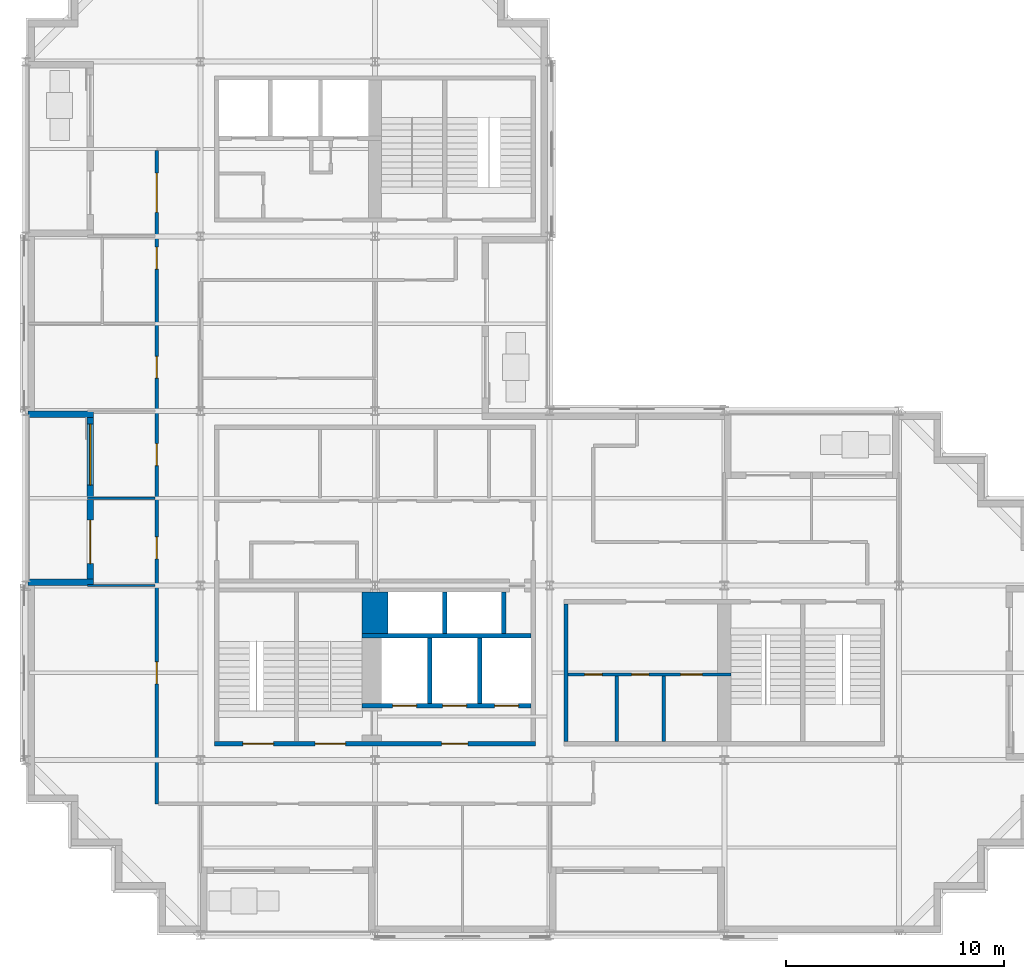
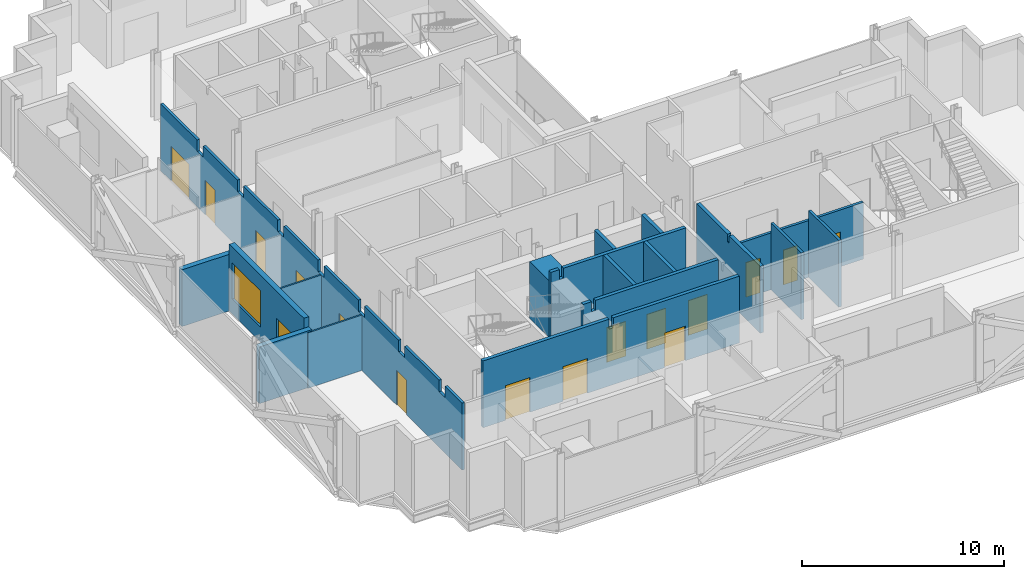
# One storey, part 5 of 12: 18 walls, 16 doors, 1 window, 17 openings.
"""IFC4 building model written with IfcOpenShell, lengths in metres."""

from ifc_helpers import new_model, si_unit, direction, frame, frame_2d, origin, place, context, subcontext, project, spatial, polyline, rectangle, outline, extrude, material, layer, layer_set, type_object, element, fill, save


model = new_model("IFC4")

# Units and contexts
model_context = context("Model", 3, precision=1e-05, world=origin(), true_north=direction((0.0, 1.0)))
body_context = subcontext(model_context, "Body", "Model", "MODEL_VIEW")
ifc_project = project(units=[si_unit("LENGTHUNIT", "METRE"), si_unit("AREAUNIT", "SQUARE_METRE"), si_unit("VOLUMEUNIT", "CUBIC_METRE"), si_unit("PLANEANGLEUNIT", "RADIAN"), si_unit("MASSUNIT", "GRAM", prefix="KILO")], contexts=[model_context])

# Site, building, storey
site_placement = place(None, origin())
site = spatial("IfcSite", under=ifc_project, at=site_placement, CompositionType="ELEMENT")
building_placement = place(site_placement, origin())
building = spatial("IfcBuilding", under=site, at=building_placement, Name="Immortelle Media Tower", CompositionType="ELEMENT")
storey_placement = place(building_placement, frame((0.0, 0.0, 153.60009765625)))
storey = spatial("IfcBuildingStorey", under=building, at=storey_placement, Name="L31", CompositionType="ELEMENT", Elevation=153.60009765625)

# Wall, openings, doors
ifc_material_1 = material(Name="Fire-rated gypsum board", Category="gypsum")
ifc_layer_1 = layer(ifc_material_1, 0.02490234375)
ifc_material_2 = material(Name="Steel ASTM A653 SS Gr 50 stud frame with mineral wool", Category="steel")
ifc_layer_2 = layer(ifc_material_2, 0.10009765625)
ifc_layer_3 = layer(ifc_material_1, 0.02490234375)
ifc_layer_set_1 = layer_set([ifc_layer_1, ifc_layer_2, ifc_layer_3], Name="Steel ASTM A653 SS Gr 50 stud frame with mineral wool")
wall_type_1 = type_object("IfcWallType", Name="Core partition 150", PredefinedType="PARTITIONING", material=ifc_layer_set_1)
wall_1_placement = place(storey_placement, frame((24.85009765625, 11.925048828125, 0.0), z_axis=(0.0, 0.0, 1.0), x_axis=(1.0, 0.0, 0.0)))
wall_1 = element("IfcWall", 1, at=wall_1_placement, inside=storey, type_object=wall_type_1, Name="Core partition SE", PredefinedType="PARTITIONING", context=body_context, shape_type="SweptSolid", body=[
    extrude(rectangle(XDim=7.449951171875, YDim=0.14990234375, at=frame_2d((3.72509765625, 0.0))), origin(), (0.0, 0.0, 1.0), 3.44189453125),
])
opening_1_placement = place(wall_1_placement, frame((1.550048828125, 0.0, 0.0), z_axis=(0.0, 0.0, 1.0), x_axis=(-1.0, 0.0, 0.0)))
opening_1 = element("IfcOpeningElement", 2, at=opening_1_placement, cuts=wall_1, Name="Opening C3-K017", PredefinedType="OPENING", context=body_context, shape_type="SweptSolid", body=[
    extrude(rectangle(XDim=0.800048828125, YDim=2.10009765625, at=frame_2d((0.39990234375, 1.050048828125))), frame((0.0, 0.0849609375, 0.0), z_axis=(0.0, -1.0, 0.0), x_axis=(1.0, 0.0, 0.0)), (0.0, 0.0, 1.0), 0.169921875),
])
opening_2_placement = place(wall_1_placement, frame((3.699951171875, 0.0, 0.0), z_axis=(0.0, 0.0, 1.0), x_axis=(-1.0, 0.0, 0.0)))
opening_2 = element("IfcOpeningElement", 3, at=opening_2_placement, cuts=wall_1, Name="Opening C3-K018", PredefinedType="OPENING", context=body_context, shape_type="SweptSolid", body=[
    extrude(rectangle(XDim=0.800048828125, YDim=2.10009765625, at=frame_2d((0.39990234375, 1.050048828125))), frame((0.0, 0.0849609375, 0.0), z_axis=(0.0, -1.0, 0.0), x_axis=(1.0, 0.0, 0.0)), (0.0, 0.0, 1.0), 0.169921875),
])
opening_3_placement = place(wall_1_placement, frame((6.14990234375, 0.0, 0.0), z_axis=(0.0, 0.0, 1.0), x_axis=(-1.0, 0.0, 0.0)))
opening_3 = element("IfcOpeningElement", 4, at=opening_3_placement, cuts=wall_1, Name="Opening C3-K020", PredefinedType="OPENING", context=body_context, shape_type="SweptSolid", body=[
    extrude(rectangle(XDim=1.0, YDim=2.10009765625, at=frame_2d((0.5, 1.050048828125))), frame((0.0, 0.0849609375, 0.0), z_axis=(0.0, -1.0, 0.0), x_axis=(1.0, 0.0, 0.0)), (0.0, 0.0, 1.0), 0.169921875),
])
ifc_material_3 = material(Name="Timber", Category="wood")
door_type_1 = type_object("IfcDoorType", Name="Accessible toilet door 1000 x 2100", OperationType="NOTDEFINED", PredefinedType="NOTDEFINED", material=ifc_material_3)
door_1_placement = place(opening_3_placement, origin())
door_1 = element("IfcDoor", 5, at=door_1_placement, inside=storey, type_object=door_type_1, Name="Accessible toilet C3-K020", OperationType="SINGLE_SWING_RIGHT", OverallHeight=2.10009765625, OverallWidth=1.0, PredefinedType="NOTDEFINED", context=body_context, shape_type="SweptSolid", body=[
    extrude(rectangle(XDim=1.0, YDim=2.10009765625, at=frame_2d((0.5, 1.050048828125))), frame((0.0, 0.02490234375, 0.0), z_axis=(0.0, -1.0, 0.0), x_axis=(1.0, 0.0, 0.0)), (0.0, 0.0, 1.0), 0.050048828125),
])
fill(opening_3, door_1)
door_type_2 = type_object("IfcDoorType", Name="Toilet door 800 x 2100", OperationType="NOTDEFINED", PredefinedType="NOTDEFINED", material=ifc_material_3)
door_2_placement = place(opening_1_placement, origin())
door_2 = element("IfcDoor", 6, at=door_2_placement, inside=storey, type_object=door_type_2, Name="Toilet C3-K017", OperationType="SINGLE_SWING_RIGHT", OverallHeight=2.10009765625, OverallWidth=0.800048828125, PredefinedType="NOTDEFINED", context=body_context, shape_type="SweptSolid", body=[
    extrude(rectangle(XDim=0.800048828125, YDim=2.10009765625, at=frame_2d((0.39990234375, 1.050048828125))), frame((0.0, 0.02490234375, 0.0), z_axis=(0.0, -1.0, 0.0), x_axis=(1.0, 0.0, 0.0)), (0.0, 0.0, 1.0), 0.050048828125),
])
fill(opening_1, door_2)
door_3_placement = place(opening_2_placement, origin())
door_3 = element("IfcDoor", 7, at=door_3_placement, inside=storey, type_object=door_type_2, Name="Toilet C3-K018", OperationType="SINGLE_SWING_LEFT", OverallHeight=2.10009765625, OverallWidth=0.800048828125, PredefinedType="NOTDEFINED", context=body_context, shape_type="SweptSolid", body=[
    extrude(rectangle(XDim=0.800048828125, YDim=2.10009765625, at=frame_2d((0.39990234375, 1.050048828125))), frame((0.0, 0.02490234375, 0.0), z_axis=(0.0, -1.0, 0.0), x_axis=(1.0, 0.0, 0.0)), (0.0, 0.0, 1.0), 0.050048828125),
])
fill(opening_2, door_3)

# Walls
for number, where, z_axis, x_axis, name in (
    (8, (27.074951171875, 8.85009765625, 0.0), (0.0, 0.0, 1.0), (0.0, 1.0, 0.0), "Core partition SE"),
    (9, (29.22509765625, 8.85009765625, 0.0), (0.0, 0.0, 1.0), (0.0, 1.0, 0.0), "Core partition SE"),
):
    element("IfcWall", number, at=place(storey_placement, frame(where, z_axis=z_axis, x_axis=x_axis)), inside=storey, type_object=wall_type_1, Name=name, PredefinedType="PARTITIONING", context=body_context, shape_type="SweptSolid", body=[
        extrude(rectangle(XDim=3.0, YDim=0.14990234375, at=frame_2d((1.5, 0.0))), origin(), (0.0, 0.0, 1.0), 4.0498046875),
    ])

# Wall, openings, doors
ifc_layer_4 = layer(ifc_material_1, 0.03759765625)
ifc_layer_5 = layer(ifc_material_2, 0.125)
ifc_layer_6 = layer(ifc_material_1, 0.03759765625)
ifc_layer_set_2 = layer_set([ifc_layer_4, ifc_layer_5, ifc_layer_6], Name="Steel ASTM A653 SS Gr 50 stud frame with mineral wool")
wall_type_2 = type_object("IfcWallType", Name="Core shaft wall 200", PredefinedType="PARTITIONING", material=ifc_layer_set_2)
wall_2_placement = place(storey_placement, frame((15.39990234375, 10.5, 0.0), z_axis=(0.0, 0.0, 1.0), x_axis=(1.0, 0.0, 0.0)))
wall_2 = element("IfcWall", 10, at=wall_2_placement, inside=storey, type_object=wall_type_2, Name="Core shaft wall SW", PredefinedType="PARTITIONING", context=body_context, shape_type="SweptSolid", body=[
    extrude(outline(polyline([(0.0, 0.0), (7.75, 0.0), (7.75, 4.0498046875), (0.718994140625, 4.0498046875), (0.718017578125, 3.44189453125), (0.48193359375, 3.44189453125), (0.48095703125, 4.0498046875), (0.0, 4.0498046875), (0.0, 0.0)])), frame((0.0, 0.10009765625, 0.0), z_axis=(0.0, -1.0, 0.0), x_axis=(1.0, 0.0, 0.0)), (0.0, 0.0, 1.0), 0.199951171875),
])
opening_4_placement = place(wall_2_placement, frame((1.39990234375, 0.0, 0.0)))
opening_4 = element("IfcOpeningElement", 11, at=opening_4_placement, cuts=wall_2, Name="Opening LD", PredefinedType="OPENING", context=body_context, shape_type="SweptSolid", body=[
    extrude(rectangle(XDim=1.10009765625, YDim=2.10009765625, at=frame_2d((0.550048828125, 1.050048828125))), frame((0.0, 0.10986328125, 0.0), z_axis=(0.0, -1.0, 0.0), x_axis=(1.0, 0.0, 0.0)), (0.0, 0.0, 1.0), 0.219970703125),
])
opening_5_placement = place(wall_2_placement, frame((3.699951171875, 0.0, 0.0)))
opening_5 = element("IfcOpeningElement", 12, at=opening_5_placement, cuts=wall_2, Name="Opening LD", PredefinedType="OPENING", context=body_context, shape_type="SweptSolid", body=[
    extrude(rectangle(XDim=1.10009765625, YDim=2.10009765625, at=frame_2d((0.550048828125, 1.050048828125))), frame((0.0, 0.10986328125, 0.0), z_axis=(0.0, -1.0, 0.0), x_axis=(1.0, 0.0, 0.0)), (0.0, 0.0, 1.0), 0.219970703125),
])
opening_6_placement = place(wall_2_placement, frame((6.074951171875, 0.0, 0.0)))
opening_6 = element("IfcOpeningElement", 13, at=opening_6_placement, cuts=wall_2, Name="Opening LD", PredefinedType="OPENING", context=body_context, shape_type="SweptSolid", body=[
    extrude(rectangle(XDim=1.10009765625, YDim=2.10009765625, at=frame_2d((0.550048828125, 1.050048828125))), frame((0.0, 0.10986328125, 0.0), z_axis=(0.0, -1.0, 0.0), x_axis=(1.0, 0.0, 0.0)), (0.0, 0.0, 1.0), 0.219970703125),
])
ifc_material_4 = material(Name="Stainless steel AISI 304", Category="steel")
door_type_3 = type_object("IfcDoorType", Name="Landing door 1100 x 2100", OperationType="SLIDING_TO_LEFT", PredefinedType="NOTDEFINED", material=ifc_material_4)
door_4_placement = place(opening_4_placement, origin())
door_4 = element("IfcDoor", 14, at=door_4_placement, inside=storey, type_object=door_type_3, Name="Landing door FF1 L31", OperationType="SLIDING_TO_LEFT", OverallHeight=2.10009765625, OverallWidth=1.10009765625, PredefinedType="NOTDEFINED", context=body_context, shape_type="SweptSolid", body=[
    extrude(rectangle(XDim=1.10009765625, YDim=2.10009765625, at=frame_2d((0.550048828125, 1.050048828125))), frame((0.0, 0.02490234375, 0.0), z_axis=(0.0, -1.0, 0.0), x_axis=(1.0, 0.0, 0.0)), (0.0, 0.0, 1.0), 0.050048828125),
])
fill(opening_4, door_4)
door_5_placement = place(opening_5_placement, origin())
door_5 = element("IfcDoor", 15, at=door_5_placement, inside=storey, type_object=door_type_3, Name="Landing door FF2 L31", OperationType="SLIDING_TO_LEFT", OverallHeight=2.10009765625, OverallWidth=1.10009765625, PredefinedType="NOTDEFINED", context=body_context, shape_type="SweptSolid", body=[
    extrude(rectangle(XDim=1.10009765625, YDim=2.10009765625, at=frame_2d((0.550048828125, 1.050048828125))), frame((0.0, 0.02490234375, 0.0), z_axis=(0.0, -1.0, 0.0), x_axis=(1.0, 0.0, 0.0)), (0.0, 0.0, 1.0), 0.050048828125),
])
fill(opening_5, door_5)
door_6_placement = place(opening_6_placement, origin())
door_6 = element("IfcDoor", 16, at=door_6_placement, inside=storey, type_object=door_type_3, Name="Landing door FF3 L31", OperationType="SLIDING_TO_LEFT", OverallHeight=2.10009765625, OverallWidth=1.10009765625, PredefinedType="NOTDEFINED", context=body_context, shape_type="SweptSolid", body=[
    extrude(rectangle(XDim=1.10009765625, YDim=2.10009765625, at=frame_2d((0.550048828125, 1.050048828125))), frame((0.0, 0.02490234375, 0.0), z_axis=(0.0, -1.0, 0.0), x_axis=(1.0, 0.0, 0.0)), (0.0, 0.0, 1.0), 0.050048828125),
])
fill(opening_6, door_6)

# Walls
wall_3_placement = place(storey_placement, frame((15.39990234375, 13.699951171875, 0.0), z_axis=(0.0, 0.0, 1.0), x_axis=(1.0, 0.0, 0.0)))
element("IfcWall", 17, at=wall_3_placement, inside=storey, type_object=wall_type_2, Name="Core shaft wall SW", PredefinedType="PARTITIONING", context=body_context, shape_type="SweptSolid", body=[
    extrude(outline(polyline([(0.0, 0.0), (7.75, 0.0), (7.75, 4.0498046875), (0.718994140625, 4.0498046875), (0.718017578125, 3.44189453125), (0.48193359375, 3.44189453125), (0.48095703125, 4.0498046875), (0.0, 4.0498046875), (0.0, 0.0)])), frame((0.0, 0.10009765625, 0.0), z_axis=(0.0, -1.0, 0.0), x_axis=(1.0, 0.0, 0.0)), (0.0, 0.0, 1.0), 0.199951171875),
])
wall_4_placement = place(storey_placement, frame((18.5, 10.60009765625, 0.0), z_axis=(0.0, 0.0, 1.0), x_axis=(0.0, 1.0, 0.0)))
element("IfcWall", 18, at=wall_4_placement, inside=storey, type_object=wall_type_2, Name="Core shaft wall SW", PredefinedType="PARTITIONING", context=body_context, shape_type="SweptSolid", body=[
    extrude(rectangle(XDim=3.0, YDim=0.199951171875, at=frame_2d((1.5, 0.0))), origin(), (0.0, 0.0, 1.0), 4.0498046875),
])
wall_5_placement = place(storey_placement, frame((19.199951171875, 13.800048828125, 0.0), z_axis=(0.0, 0.0, 1.0), x_axis=(0.0, 1.0, 0.0)))
element("IfcWall", 19, at=wall_5_placement, inside=storey, type_object=wall_type_2, Name="Core shaft wall SW", PredefinedType="PARTITIONING", context=body_context, shape_type="SweptSolid", body=[
    extrude(rectangle(XDim=1.89990234375, YDim=0.199951171875, at=frame_2d((0.949951171875, 0.0))), origin(), (0.0, 0.0, 1.0), 4.0498046875),
])
wall_6_placement = place(storey_placement, frame((20.800048828125, 10.60009765625, 0.0), z_axis=(0.0, 0.0, 1.0), x_axis=(0.0, 1.0, 0.0)))
element("IfcWall", 20, at=wall_6_placement, inside=storey, type_object=wall_type_2, Name="Core shaft wall SW", PredefinedType="PARTITIONING", context=body_context, shape_type="SweptSolid", body=[
    extrude(rectangle(XDim=3.0, YDim=0.199951171875, at=frame_2d((1.5, 0.0))), origin(), (0.0, 0.0, 1.0), 4.0498046875),
])
wall_7_placement = place(storey_placement, frame((21.89990234375, 13.800048828125, 0.0), z_axis=(0.0, 0.0, 1.0), x_axis=(0.0, 1.0, 0.0)))
element("IfcWall", 21, at=wall_7_placement, inside=storey, type_object=wall_type_2, Name="Core shaft wall SW", PredefinedType="PARTITIONING", context=body_context, shape_type="SweptSolid", body=[
    extrude(rectangle(XDim=1.89990234375, YDim=0.199951171875, at=frame_2d((0.949951171875, 0.0))), origin(), (0.0, 0.0, 1.0), 4.0498046875),
])
wall_8_placement = place(storey_placement, frame((24.75, 8.85009765625, 0.0), z_axis=(0.0, 0.0, 1.0), x_axis=(0.0, 1.0, 0.0)))
element("IfcWall", 22, at=wall_8_placement, inside=storey, type_object=wall_type_2, Name="Core shaft wall SE", PredefinedType="PARTITIONING", context=body_context, shape_type="SweptSolid", body=[
    extrude(outline(polyline([(0.0, 0.0), (6.2998046875, 0.0), (6.300048828125, 4.0498046875), (3.2314453125, 4.0498046875), (3.23046875, 3.5888671875), (3.069580078125, 3.5888671875), (3.068603515625, 4.0498046875), (0.0, 4.0498046875), (0.0, 0.0)])), frame((0.0, 0.10009765625, 0.0), z_axis=(0.0, -1.0, 0.0), x_axis=(1.0, 0.0, 0.0)), (0.0, 0.0, 1.0), 0.199951171875),
])

# Wall, openings, doors
ifc_layer_7 = layer(ifc_material_1, 0.012451171875)
ifc_layer_8 = layer(ifc_material_2, 0.125)
ifc_layer_9 = layer(ifc_material_1, 0.012451171875)
ifc_layer_set_3 = layer_set([ifc_layer_7, ifc_layer_8, ifc_layer_9], Name="Steel ASTM A653 SS Gr 50 stud frame with mineral wool")
wall_type_3 = type_object("IfcWallType", Name="Corridor wall 150", PredefinedType="PARTITIONING", material=ifc_layer_set_3)
wall_9_placement = place(storey_placement, frame((6.0, 6.0, 0.0), z_axis=(0.0, 0.0, 1.0), x_axis=(0.0, 1.0, 0.0)))
wall_9 = element("IfcWall", 23, at=wall_9_placement, inside=storey, type_object=wall_type_3, Name="Partition L31-006", PredefinedType="PARTITIONING", context=body_context, shape_type="SweptSolid", body=[
    extrude(outline(polyline([(0.0, 0.0), (29.925048828125, 0.0), (29.925048828125, 4.0498046875), (26.300048828125, 4.0498046875), (26.298095703125, 3.35400390625), (25.701904296875, 3.35400390625), (25.699951171875, 4.0498046875), (22.300048828125, 4.0498046875), (22.298095703125, 3.35400390625), (21.701904296875, 3.35400390625), (21.699951171875, 4.0498046875), (18.300048828125, 4.0498046875), (18.298095703125, 3.35400390625), (17.701904296875, 3.35400390625), (17.699951171875, 4.0498046875), (14.300048828125, 4.0498046875), (14.298095703125, 3.35400390625), (13.701904296875, 3.35400390625), (13.699951171875, 4.0498046875), (10.300048828125, 4.0498046875), (10.298095703125, 3.35400390625), (9.701904296875, 3.35400390625), (9.699951171875, 4.0498046875), (6.300048828125, 4.0498046875), (6.298095703125, 3.35400390625), (5.701904296875, 3.35400390625), (5.699951171875, 4.0498046875), (2.300048828125, 4.0498046875), (2.298095703125, 3.35400390625), (1.701904296875, 3.35400390625), (1.699951171875, 4.0498046875), (0.0, 4.0498046875), (0.0, 0.0)])), frame((0.0, 0.074951171875, 0.0), z_axis=(0.0, -1.0, 0.0), x_axis=(1.0, 0.0, 0.0)), (0.0, 0.0, 1.0), 0.14990234375),
])
opening_7_placement = place(wall_9_placement, frame((5.5, 0.0, 0.0)))
opening_7 = element("IfcOpeningElement", 24, at=opening_7_placement, cuts=wall_9, Name="Opening C3-F005", PredefinedType="OPENING", context=body_context, shape_type="SweptSolid", body=[
    extrude(rectangle(XDim=1.0, YDim=2.10009765625, at=frame_2d((0.5, 1.050048828125))), frame((0.0, 0.0849609375, 0.0), z_axis=(0.0, -1.0, 0.0), x_axis=(1.0, 0.0, 0.0)), (0.0, 0.0, 1.0), 0.169921875),
])
opening_8_placement = place(wall_9_placement, frame((11.22509765625, 0.0, 0.0)))
opening_8 = element("IfcOpeningElement", 25, at=opening_8_placement, cuts=wall_9, Name="Opening C3-F008", PredefinedType="OPENING", context=body_context, shape_type="SweptSolid", body=[
    extrude(rectangle(XDim=1.0, YDim=2.10009765625, at=frame_2d((0.5, 1.050048828125))), frame((0.0, 0.0849609375, 0.0), z_axis=(0.0, -1.0, 0.0), x_axis=(1.0, 0.0, 0.0)), (0.0, 0.0, 1.0), 0.169921875),
])
opening_9_placement = place(wall_9_placement, frame((15.5, 0.0, 0.0)))
opening_9 = element("IfcOpeningElement", 26, at=opening_9_placement, cuts=wall_9, Name="Opening C3-F009", PredefinedType="OPENING", context=body_context, shape_type="SweptSolid", body=[
    extrude(rectangle(XDim=1.0, YDim=2.10009765625, at=frame_2d((0.5, 1.050048828125))), frame((0.0, 0.0849609375, 0.0), z_axis=(0.0, -1.0, 0.0), x_axis=(1.0, 0.0, 0.0)), (0.0, 0.0, 1.0), 0.169921875),
])
opening_10_placement = place(wall_9_placement, frame((19.5, 0.0, 0.0)))
opening_10 = element("IfcOpeningElement", 27, at=opening_10_placement, cuts=wall_9, Name="Opening C3-F014", PredefinedType="OPENING", context=body_context, shape_type="SweptSolid", body=[
    extrude(rectangle(XDim=1.0, YDim=2.10009765625, at=frame_2d((0.5, 1.050048828125))), frame((0.0, 0.0849609375, 0.0), z_axis=(0.0, -1.0, 0.0), x_axis=(1.0, 0.0, 0.0)), (0.0, 0.0, 1.0), 0.169921875),
])
opening_11_placement = place(wall_9_placement, frame((24.5, 0.0, 0.0)))
opening_11 = element("IfcOpeningElement", 28, at=opening_11_placement, cuts=wall_9, Name="Opening C3-F015", PredefinedType="OPENING", context=body_context, shape_type="SweptSolid", body=[
    extrude(rectangle(XDim=1.0, YDim=2.10009765625, at=frame_2d((0.5, 1.050048828125))), frame((0.0, 0.0849609375, 0.0), z_axis=(0.0, -1.0, 0.0), x_axis=(1.0, 0.0, 0.0)), (0.0, 0.0, 1.0), 0.169921875),
])
opening_12_placement = place(wall_9_placement, frame((27.10009765625, 0.0, 0.0)))
opening_12 = element("IfcOpeningElement", 29, at=opening_12_placement, cuts=wall_9, Name="Opening C3-F017", PredefinedType="OPENING", context=body_context, shape_type="SweptSolid", body=[
    extrude(rectangle(XDim=1.800048828125, YDim=2.10009765625, at=frame_2d((0.89990234375, 1.050048828125))), frame((0.0, 0.0849609375, 0.0), z_axis=(0.0, -1.0, 0.0), x_axis=(1.0, 0.0, 0.0)), (0.0, 0.0, 1.0), 0.169921875),
])
ifc_material_5 = material(Name="Timber veneered door leaf, galvanised steel frame ASTM A653", Category="steel")
door_type_4 = type_object("IfcDoorType", Name="Room door 1000 x 2100", OperationType="NOTDEFINED", PredefinedType="DOOR", material=ifc_material_5)
door_7_placement = place(opening_7_placement, origin())
door_7 = element("IfcDoor", 30, at=door_7_placement, inside=storey, type_object=door_type_4, Name="Door C3-F005", OperationType="SINGLE_SWING_RIGHT", OverallHeight=2.10009765625, OverallWidth=1.0, PredefinedType="DOOR", context=body_context, shape_type="SweptSolid", body=[
    extrude(rectangle(XDim=1.0, YDim=2.10009765625, at=frame_2d((0.5, 1.050048828125))), frame((0.0, 0.02490234375, 0.0), z_axis=(0.0, -1.0, 0.0), x_axis=(1.0, 0.0, 0.0)), (0.0, 0.0, 1.0), 0.050048828125),
])
fill(opening_7, door_7)
door_8_placement = place(opening_8_placement, origin())
door_8 = element("IfcDoor", 31, at=door_8_placement, inside=storey, type_object=door_type_4, Name="Door C3-F008", OperationType="SINGLE_SWING_LEFT", OverallHeight=2.10009765625, OverallWidth=1.0, PredefinedType="DOOR", context=body_context, shape_type="SweptSolid", body=[
    extrude(rectangle(XDim=1.0, YDim=2.10009765625, at=frame_2d((0.5, 1.050048828125))), frame((0.0, 0.02490234375, 0.0), z_axis=(0.0, -1.0, 0.0), x_axis=(1.0, 0.0, 0.0)), (0.0, 0.0, 1.0), 0.050048828125),
])
fill(opening_8, door_8)
door_9_placement = place(opening_9_placement, origin())
door_9 = element("IfcDoor", 32, at=door_9_placement, inside=storey, type_object=door_type_4, Name="Door C3-F009", OperationType="SINGLE_SWING_RIGHT", OverallHeight=2.10009765625, OverallWidth=1.0, PredefinedType="DOOR", context=body_context, shape_type="SweptSolid", body=[
    extrude(rectangle(XDim=1.0, YDim=2.10009765625, at=frame_2d((0.5, 1.050048828125))), frame((0.0, 0.02490234375, 0.0), z_axis=(0.0, -1.0, 0.0), x_axis=(1.0, 0.0, 0.0)), (0.0, 0.0, 1.0), 0.050048828125),
])
fill(opening_9, door_9)
door_10_placement = place(opening_10_placement, origin())
door_10 = element("IfcDoor", 33, at=door_10_placement, inside=storey, type_object=door_type_4, Name="Door C3-F014", OperationType="SINGLE_SWING_LEFT", OverallHeight=2.10009765625, OverallWidth=1.0, PredefinedType="DOOR", context=body_context, shape_type="SweptSolid", body=[
    extrude(rectangle(XDim=1.0, YDim=2.10009765625, at=frame_2d((0.5, 1.050048828125))), frame((0.0, 0.02490234375, 0.0), z_axis=(0.0, -1.0, 0.0), x_axis=(1.0, 0.0, 0.0)), (0.0, 0.0, 1.0), 0.050048828125),
])
fill(opening_10, door_10)
door_11_placement = place(opening_11_placement, origin())
door_11 = element("IfcDoor", 34, at=door_11_placement, inside=storey, type_object=door_type_4, Name="Door C3-F015", OperationType="SINGLE_SWING_RIGHT", OverallHeight=2.10009765625, OverallWidth=1.0, PredefinedType="DOOR", context=body_context, shape_type="SweptSolid", body=[
    extrude(rectangle(XDim=1.0, YDim=2.10009765625, at=frame_2d((0.5, 1.050048828125))), frame((0.0, 0.02490234375, 0.0), z_axis=(0.0, -1.0, 0.0), x_axis=(1.0, 0.0, 0.0)), (0.0, 0.0, 1.0), 0.050048828125),
])
fill(opening_11, door_11)
door_type_5 = type_object("IfcDoorType", Name="Room door 1800 x 2100", OperationType="DOUBLE_DOOR_SINGLE_SWING", PredefinedType="DOOR", material=ifc_material_5)
door_12_placement = place(opening_12_placement, origin())
door_12 = element("IfcDoor", 35, at=door_12_placement, inside=storey, type_object=door_type_5, Name="Door C3-F017", OperationType="DOUBLE_DOOR_SINGLE_SWING", OverallHeight=2.10009765625, OverallWidth=1.800048828125, PredefinedType="DOOR", context=body_context, shape_type="SweptSolid", body=[
    extrude(rectangle(XDim=1.800048828125, YDim=2.10009765625, at=frame_2d((0.89990234375, 1.050048828125))), frame((0.0, 0.02490234375, 0.0), z_axis=(0.0, -1.0, 0.0), x_axis=(1.0, 0.0, 0.0)), (0.0, 0.0, 1.0), 0.050048828125),
])
fill(opening_12, door_12)

# Wall, openings, door, window
ifc_material_6 = material(Name="Pale aluminium cladding panel", Category="aluminium")
ifc_layer_10 = layer(ifc_material_6, 0.030029296875)
ifc_layer_11 = layer(ifc_material_2, 0.257568359375)
ifc_material_7 = material(Name="Moisture-resistant gypsum board", Category="gypsum")
ifc_layer_12 = layer(ifc_material_7, 0.012451171875)
ifc_layer_set_4 = layer_set([ifc_layer_10, ifc_layer_11, ifc_layer_12], Name="Steel ASTM A653 SS Gr 50 stud frame with mineral wool")
wall_type_4 = type_object("IfcWallType", Name="Facade wall 300", PredefinedType="SOLIDWALL", material=ifc_layer_set_4)
wall_10_placement = place(storey_placement, frame((2.949951171875, 23.699951171875, 0.0), z_axis=(0.0, 0.0, 1.0), x_axis=(0.0, -1.0, 0.0)))
wall_10 = element("IfcWall", 36, at=wall_10_placement, inside=storey, type_object=wall_type_4, Name="Loggia wall L31 W35", PredefinedType="SOLIDWALL", context=body_context, shape_type="SweptSolid", body=[
    extrude(rectangle(XDim=7.39990234375, YDim=0.300048828125, at=frame_2d((3.699951171875, 0.0))), origin(), (0.0, 0.0, 1.0), 4.0498046875),
])
opening_13_placement = place(wall_10_placement, frame((0.300048828125, 0.0, 0.89990234375)))
opening_13 = element("IfcOpeningElement", 37, at=opening_13_placement, cuts=wall_10, Name="Opening W1", PredefinedType="OPENING", context=body_context, shape_type="SweptSolid", body=[
    extrude(rectangle(XDim=2.800048828125, YDim=2.199951171875, at=frame_2d((1.39990234375, 1.10009765625))), frame((0.0, 0.159912109375, 0.0), z_axis=(0.0, -1.0, 0.0), x_axis=(1.0, 0.0, 0.0)), (0.0, 0.0, 1.0), 0.320068359375),
])
opening_14_placement = place(wall_10_placement, frame((4.699951171875, 0.0, 0.0)))
opening_14 = element("IfcOpeningElement", 38, at=opening_14_placement, cuts=wall_10, Name="Opening C3-E008", PredefinedType="OPENING", context=body_context, shape_type="SweptSolid", body=[
    extrude(rectangle(XDim=2.0, YDim=2.39990234375, at=frame_2d((1.0, 1.199951171875))), frame((0.0, 0.159912109375, 0.0), z_axis=(0.0, -1.0, 0.0), x_axis=(1.0, 0.0, 0.0)), (0.0, 0.0, 1.0), 0.320068359375),
])
ifc_material_8 = material(Name="Aluminium frame, glazed leaves", Category="aluminium")
door_type_6 = type_object("IfcDoorType", Name="Loggia door 2000 x 2400", OperationType="DOUBLE_DOOR_SINGLE_SWING", PredefinedType="DOOR", material=ifc_material_8)
door_13_placement = place(opening_14_placement, origin())
door_13 = element("IfcDoor", 39, at=door_13_placement, inside=storey, type_object=door_type_6, Name="Door C3-E008", OperationType="DOUBLE_DOOR_SINGLE_SWING", OverallHeight=2.39990234375, OverallWidth=2.0, PredefinedType="DOOR", context=body_context, shape_type="SweptSolid", body=[
    extrude(rectangle(XDim=2.0, YDim=2.39990234375, at=frame_2d((1.0, 1.199951171875))), frame((0.0, 0.02490234375, 0.0), z_axis=(0.0, -1.0, 0.0), x_axis=(1.0, 0.0, 0.0)), (0.0, 0.0, 1.0), 0.050048828125),
])
fill(opening_14, door_13)
ifc_material_9 = material(Name="Aluminium frame", Category="aluminium")
window_type = type_object("IfcWindowType", Name="Window 2800 x 2200", PartitioningType="SINGLE_PANEL", PredefinedType="WINDOW", material=ifc_material_9)
window_placement = place(opening_13_placement, origin())
window = element("IfcWindow", 40, at=window_placement, inside=storey, type_object=window_type, Name="Window L31 L31-R35-B2", OverallHeight=2.199951171875, OverallWidth=2.800048828125, PartitioningType="SINGLE_PANEL", PredefinedType="WINDOW", context=body_context, shape_type="SweptSolid", body=[
    extrude(rectangle(XDim=2.800048828125, YDim=2.199951171875, at=frame_2d((1.39990234375, 1.10009765625))), frame((0.0, 0.030029296875, 0.0), z_axis=(0.0, -1.0, 0.0), x_axis=(1.0, 0.0, 0.0)), (0.0, 0.0, 1.0), 0.06005859375),
])
fill(opening_13, window)

# Walls
for number, where, z_axis, x_axis, name in (
    (41, (0.10009765625, 23.85009765625, 0.0), (0.0, 0.0, 1.0), (1.0, 0.0, 0.0), "Loggia cheek wall L31 W"),
    (42, (0.10009765625, 16.14990234375, 0.0), (0.0, 0.0, 1.0), (1.0, 0.0, 0.0), "Loggia cheek wall L31 W"),
):
    element("IfcWall", number, at=place(storey_placement, frame(where, z_axis=z_axis, x_axis=x_axis)), inside=storey, type_object=wall_type_4, Name=name, PredefinedType="SOLIDWALL", context=body_context, shape_type="SweptSolid", body=[
        extrude(rectangle(XDim=3.0, YDim=0.300048828125, at=frame_2d((1.5, 0.0))), origin(), (0.0, 0.0, 1.0), 3.43701171875),
    ])
ifc_material_10 = material(Name="Gypsum board", Category="gypsum")
ifc_layer_13 = layer(ifc_material_10, 0.012451171875)
ifc_layer_14 = layer(ifc_material_2, 0.074951171875)
ifc_layer_15 = layer(ifc_material_10, 0.012451171875)
ifc_layer_set_5 = layer_set([ifc_layer_13, ifc_layer_14, ifc_layer_15], Name="Steel ASTM A653 SS Gr 50 stud frame with mineral wool")
wall_type_5 = type_object("IfcWallType", Name="Partition 100", PredefinedType="PARTITIONING", material=ifc_layer_set_5)
for number, where, z_axis, x_axis, name in (
    (43, (2.830078125, 16.0, 0.0), (0.0, 0.0, 1.0), (1.0, 0.0, 0.0), "Partition L31-008"),
    (44, (2.830078125, 20.0, 0.0), (0.0, 0.0, 1.0), (1.0, 0.0, 0.0), "Partition L31-015"),
):
    element("IfcWall", number, at=place(storey_placement, frame(where, z_axis=z_axis, x_axis=x_axis)), inside=storey, type_object=wall_type_5, Name=name, PredefinedType="PARTITIONING", context=body_context, shape_type="SweptSolid", body=[
        extrude(rectangle(XDim=3.094970703125, YDim=0.10009765625, at=frame_2d((1.54736328125, 0.0))), origin(), (0.0, 0.0, 1.0), 3.35400390625),
    ])
ifc_material_11 = material(Name="Concrete C60", Category="concrete")
ifc_layer_16 = layer(ifc_material_11, 1.199951171875)
ifc_layer_set_6 = layer_set([ifc_layer_16], Name="Concrete C60")
wall_type_6 = type_object("IfcWallType", Name="Stair shaft wall 1200", PredefinedType="PARTITIONING", material=ifc_layer_set_6)
wall_11_placement = place(storey_placement, frame((16.0, 13.800048828125, 0.0), z_axis=(0.0, 0.0, 1.0), x_axis=(0.0, 1.0, 0.0)))
element("IfcWall", 45, at=wall_11_placement, inside=storey, type_object=wall_type_6, Name="Stair shaft wall SW", PredefinedType="PARTITIONING", context=body_context, shape_type="SweptSolid", body=[
    extrude(rectangle(XDim=1.89990234375, YDim=1.199951171875, at=frame_2d((0.949951171875, 0.0))), origin(), (0.0, 0.0, 1.0), 3.44189453125),
])

# Wall, openings, doors
ifc_layer_17 = layer(ifc_material_11, 0.199951171875)
ifc_layer_set_7 = layer_set([ifc_layer_17], Name="Concrete C60")
wall_type_7 = type_object("IfcWallType", Name="Stair shaft wall 200", PredefinedType="PARTITIONING", material=ifc_layer_set_7)
wall_12_placement = place(storey_placement, frame((8.64990234375, 8.75, 0.0), z_axis=(0.0, 0.0, 1.0), x_axis=(1.0, 0.0, 0.0)))
wall_12 = element("IfcWall", 46, at=wall_12_placement, inside=storey, type_object=wall_type_7, Name="Stair shaft wall SW", PredefinedType="PARTITIONING", context=body_context, shape_type="SweptSolid", body=[
    extrude(outline(polyline([(0.0, 0.0), (14.7001953125, 0.0), (14.699951171875, 4.0498046875), (7.468994140625, 4.0498046875), (7.468017578125, 3.44189453125), (7.23193359375, 3.44189453125), (7.23095703125, 4.0498046875), (0.0, 4.0498046875), (0.0, 0.0)])), frame((0.0, 0.10009765625, 0.0), z_axis=(0.0, -1.0, 0.0), x_axis=(1.0, 0.0, 0.0)), (0.0, 0.0, 1.0), 0.199951171875),
])
opening_15_placement = place(wall_12_placement, frame((1.300048828125, 0.0, 0.0)))
opening_15 = element("IfcOpeningElement", 47, at=opening_15_placement, cuts=wall_12, Name="Opening C3-K002", PredefinedType="OPENING", context=body_context, shape_type="SweptSolid", body=[
    extrude(rectangle(XDim=1.39990234375, YDim=2.10009765625, at=frame_2d((0.699951171875, 1.050048828125))), frame((0.0, 0.10986328125, 0.0), z_axis=(0.0, -1.0, 0.0), x_axis=(1.0, 0.0, 0.0)), (0.0, 0.0, 1.0), 0.219970703125),
])
opening_16_placement = place(wall_12_placement, frame((4.60009765625, 0.0, 0.0)))
opening_16 = element("IfcOpeningElement", 48, at=opening_16_placement, cuts=wall_12, Name="Opening C3-K005", PredefinedType="OPENING", context=body_context, shape_type="SweptSolid", body=[
    extrude(rectangle(XDim=1.39990234375, YDim=2.10009765625, at=frame_2d((0.699951171875, 1.050048828125))), frame((0.0, 0.10986328125, 0.0), z_axis=(0.0, -1.0, 0.0), x_axis=(1.0, 0.0, 0.0)), (0.0, 0.0, 1.0), 0.219970703125),
])
opening_17_placement = place(wall_12_placement, frame((10.39990234375, 0.0, 0.0)))
opening_17 = element("IfcOpeningElement", 49, at=opening_17_placement, cuts=wall_12, Name="Opening C3-K010", PredefinedType="OPENING", context=body_context, shape_type="SweptSolid", body=[
    extrude(rectangle(XDim=1.199951171875, YDim=2.10009765625, at=frame_2d((0.60009765625, 1.050048828125))), frame((0.0, 0.10986328125, 0.0), z_axis=(0.0, -1.0, 0.0), x_axis=(1.0, 0.0, 0.0)), (0.0, 0.0, 1.0), 0.219970703125),
])
ifc_material_12 = material(Name="Galvanised steel door leaf and frame ASTM A653", Category="steel")
door_type_7 = type_object("IfcDoorType", Name="Fire-fighting lobby door 1200 x 2100", OperationType="NOTDEFINED", PredefinedType="NOTDEFINED", material=ifc_material_12)
door_14_placement = place(opening_17_placement, origin())
door_14 = element("IfcDoor", 50, at=door_14_placement, inside=storey, type_object=door_type_7, Name="Fire-fighting lobby C3-K010", OperationType="SINGLE_SWING_LEFT", OverallHeight=2.10009765625, OverallWidth=1.199951171875, PredefinedType="NOTDEFINED", context=body_context, shape_type="SweptSolid", body=[
    extrude(rectangle(XDim=1.199951171875, YDim=2.10009765625, at=frame_2d((0.60009765625, 1.050048828125))), frame((0.0, 0.02490234375, 0.0), z_axis=(0.0, -1.0, 0.0), x_axis=(1.0, 0.0, 0.0)), (0.0, 0.0, 1.0), 0.050048828125),
])
fill(opening_17, door_14)
door_type_8 = type_object("IfcDoorType", Name="Stair door 1400 x 2100", OperationType="DOUBLE_DOOR_SINGLE_SWING", PredefinedType="NOTDEFINED", material=ifc_material_12)
door_15_placement = place(opening_15_placement, origin())
door_15 = element("IfcDoor", 51, at=door_15_placement, inside=storey, type_object=door_type_8, Name="Stair C3-K002", OperationType="DOUBLE_DOOR_SINGLE_SWING", OverallHeight=2.10009765625, OverallWidth=1.39990234375, PredefinedType="NOTDEFINED", context=body_context, shape_type="SweptSolid", body=[
    extrude(rectangle(XDim=1.39990234375, YDim=2.10009765625, at=frame_2d((0.699951171875, 1.050048828125))), frame((0.0, 0.02490234375, 0.0), z_axis=(0.0, -1.0, 0.0), x_axis=(1.0, 0.0, 0.0)), (0.0, 0.0, 1.0), 0.050048828125),
])
fill(opening_15, door_15)
door_16_placement = place(opening_16_placement, origin())
door_16 = element("IfcDoor", 52, at=door_16_placement, inside=storey, type_object=door_type_8, Name="Stair C3-K005", OperationType="DOUBLE_DOOR_SINGLE_SWING", OverallHeight=2.10009765625, OverallWidth=1.39990234375, PredefinedType="NOTDEFINED", context=body_context, shape_type="SweptSolid", body=[
    extrude(rectangle(XDim=1.39990234375, YDim=2.10009765625, at=frame_2d((0.699951171875, 1.050048828125))), frame((0.0, 0.02490234375, 0.0), z_axis=(0.0, -1.0, 0.0), x_axis=(1.0, 0.0, 0.0)), (0.0, 0.0, 1.0), 0.050048828125),
])
fill(opening_16, door_16)

save(model, "model.ifc")
